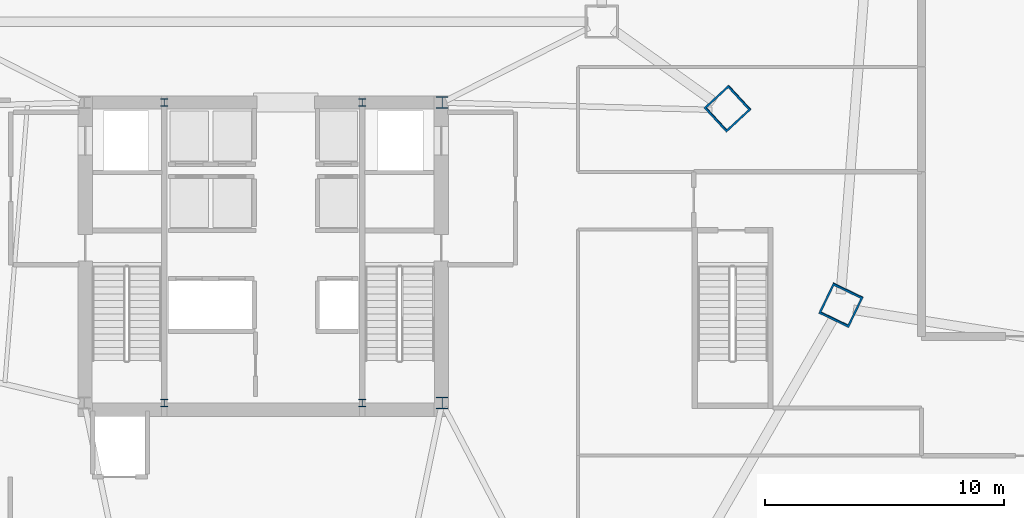
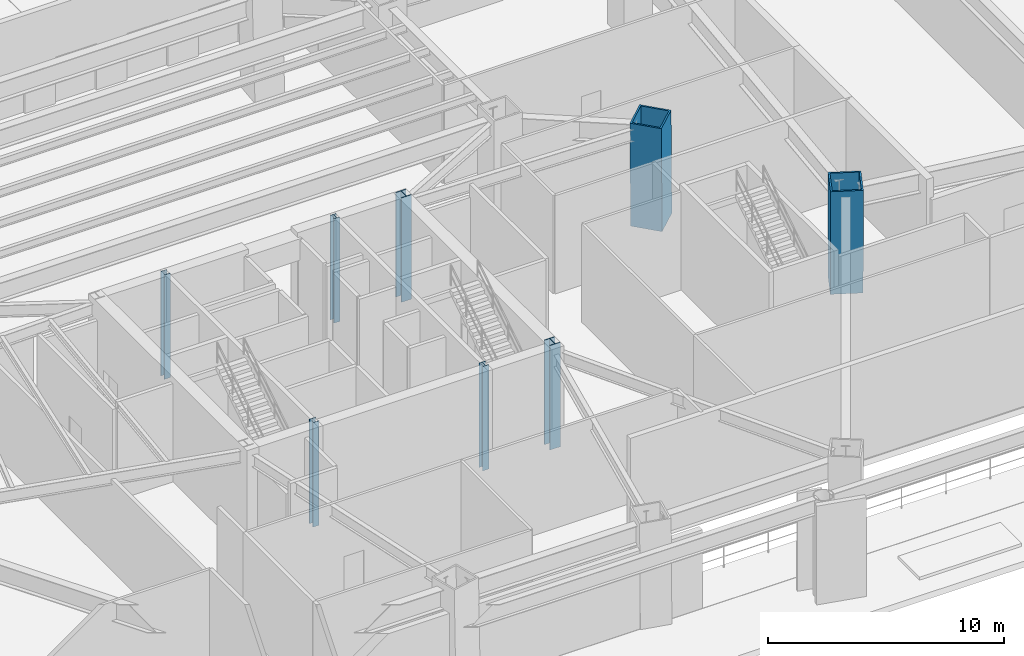
# One storey, part 2 of 19: 8 columns.
"""IFC4 building model written with IfcOpenShell, lengths in metres."""

from ifc_helpers import new_model, si_unit, direction, frame, origin, origin_2d, place, context, subcontext, project, spatial, hollow_rectangle, i_section, extrude, source, transform, mapped, material, material_profile, profile_set, type_object, type_shapes, element, save


model = new_model("IFC4")

# Units and contexts
model_context = context("Model", 3, precision=1e-05, world=origin(), true_north=direction((0.0, 1.0)))
body_context = subcontext(model_context, "Body", "Model", "MODEL_VIEW")
ifc_project = project(units=[si_unit("LENGTHUNIT", "METRE"), si_unit("AREAUNIT", "SQUARE_METRE"), si_unit("VOLUMEUNIT", "CUBIC_METRE"), si_unit("PLANEANGLEUNIT", "RADIAN"), si_unit("MASSUNIT", "GRAM", prefix="KILO")], contexts=[model_context])

# Site, building, storey
site_placement = place(None, origin())
site = spatial("IfcSite", under=ifc_project, at=site_placement, CompositionType="ELEMENT")
building_placement = place(site_placement, origin())
building = spatial("IfcBuilding", under=site, at=building_placement, Name="Caelisora Broadcast Tower", CompositionType="ELEMENT")
storey_placement = place(building_placement, origin())
storey = spatial("IfcBuildingStorey", under=building, at=storey_placement, Name="L00", CompositionType="ELEMENT", Elevation=0.0)

# Columns
ifc_material_1 = material(Name="Steel Grade 350 (AS/NZS 3679.2)", Category="steel")
ifc_material_profile_1 = material_profile(ifc_material_1, i_section(OverallWidth=0.5, OverallDepth=0.5, WebThickness=0.028076171875, FlangeThickness=0.0400390625, at=origin_2d()), Name="Steel Grade 350 (AS/NZS 3679.2)")
ifc_profile_set_1 = profile_set([ifc_material_profile_1], Name="Steel Grade 350 (AS/NZS 3679.2)")
column_type_1 = type_object("IfcColumnType", Name="CC01", PredefinedType="COLUMN", material=ifc_profile_set_1)
shared_shape_1 = source(origin(), body_context, "Body", "SweptSolid", [
    extrude(i_section(OverallWidth=0.5, OverallDepth=0.5, WebThickness=0.028076171875, FlangeThickness=0.0400390625, at=origin_2d()), origin(), (0.0, 0.0, 1.0), 5.39990234375),
])
type_shapes(column_type_1, [shared_shape_1])
for number, where, z_axis, x_axis, name in (
    (1, (45.5, 17.39990234375, 0.0), (0.0, 0.0, 1.0), (1.0, 0.0, 0.0), "L00 column CC01"),
    (2, (45.5, 30.0, 0.0), (0.0, 0.0, 1.0), (1.0, 0.0, 0.0), "L00 column CC01"),
):
    element("IfcColumn", number, at=place(storey_placement, frame(where, z_axis=z_axis, x_axis=x_axis)), inside=storey, type_object=column_type_1, Name=name, PredefinedType="COLUMN", context=body_context, shape_type="MappedRepresentation", body=[
        mapped(shared_shape_1, transform((0.0, 0.0, 0.0), scale=1.0)),
    ])
ifc_material_2 = material(Name="Steel Grade 350 (AS/NZS 3679.1)", Category="steel")
ifc_material_profile_2 = material_profile(ifc_material_2, i_section(OverallWidth=0.306884765625, OverallDepth=0.314697265625, WebThickness=0.011962890625, FlangeThickness=0.018798828125, at=origin_2d()), Name="Steel Grade 350 (AS/NZS 3679.1)")
ifc_profile_set_2 = profile_set([ifc_material_profile_2], Name="Steel Grade 350 (AS/NZS 3679.1)")
column_type_2 = type_object("IfcColumnType", Name="CC04", PredefinedType="COLUMN", material=ifc_profile_set_2)
shared_shape_2 = source(origin(), body_context, "Body", "SweptSolid", [
    extrude(i_section(OverallWidth=0.306884765625, OverallDepth=0.314697265625, WebThickness=0.011962890625, FlangeThickness=0.018798828125, at=origin_2d()), origin(), (0.0, 0.0, 1.0), 5.39990234375),
])
type_shapes(column_type_2, [shared_shape_2])
for number, where, z_axis, x_axis, name in (
    (3, (33.85009765625, 17.39990234375, 0.0), (0.0, 0.0, 1.0), (1.0, 0.0, 0.0), "L00 column CC04"),
    (4, (42.14990234375, 17.39990234375, 0.0), (0.0, 0.0, 1.0), (1.0, 0.0, 0.0), "L00 column CC04"),
    (5, (33.85009765625, 30.0, 0.0), (0.0, 0.0, 1.0), (1.0, 0.0, 0.0), "L00 column CC04"),
    (6, (42.14990234375, 30.0, 0.0), (0.0, 0.0, 1.0), (1.0, 0.0, 0.0), "L00 column CC04"),
):
    element("IfcColumn", number, at=place(storey_placement, frame(where, z_axis=z_axis, x_axis=x_axis)), inside=storey, type_object=column_type_2, Name=name, PredefinedType="COLUMN", context=body_context, shape_type="MappedRepresentation", body=[
        mapped(shared_shape_2, transform((0.0, 0.0, 0.0), scale=1.0)),
    ])
ifc_material_3 = material(Name="Steel Grade 350 L15 (AS/NZS 3678)", Category="steel")
ifc_material_profile_3 = material_profile(ifc_material_3, hollow_rectangle(XDim=1.39990234375, YDim=1.39990234375, WallThickness=0.080078125, at=origin_2d()), Name="Steel Grade 350 L15 (AS/NZS 3678)")
ifc_profile_set_3 = profile_set([ifc_material_profile_3], Name="Steel Grade 350 L15 (AS/NZS 3678)")
column_type_3 = type_object("IfcColumnType", Name="MC01", PredefinedType="COLUMN", material=ifc_profile_set_3)
shared_shape_3 = source(origin(), body_context, "Body", "SweptSolid", [
    extrude(hollow_rectangle(XDim=1.39990234375, YDim=1.39990234375, WallThickness=0.080078125, at=origin_2d()), origin(), (0.0, 0.0, 1.0), 5.4013671875),
])
column_1_placement = place(storey_placement, frame((62.2314453125, 21.523193359375, 0.0), z_axis=(-0.010395791054, -0.021559966664, 0.999713506644), x_axis=(0.900755489191, -0.434326546151, 0.0)))
element("IfcColumn", 7, at=column_1_placement, inside=storey, type_object=column_type_3, Name="L00 column MC01", PredefinedType="COLUMN", context=body_context, shape_type="MappedRepresentation", body=[
    mapped(shared_shape_3, transform((0.0, 0.0, 0.0), scale=1.0)),
])
shared_shape_4 = source(origin(), body_context, "Body", "SweptSolid", [
    extrude(hollow_rectangle(XDim=1.39990234375, YDim=1.39990234375, WallThickness=0.080078125, at=origin_2d()), origin(), (0.0, 0.0, 1.0), 5.401123046875),
])
type_shapes(column_type_3, [shared_shape_3, shared_shape_4])
column_2_placement = place(storey_placement, frame((57.477783203125, 29.756591796875, 0.0), z_axis=(-0.014916896444, -0.013786828532, 0.999793683497), x_axis=(0.678742109025, -0.734376708125, 0.0)))
element("IfcColumn", 8, at=column_2_placement, inside=storey, type_object=column_type_3, Name="L00 column MC01", PredefinedType="COLUMN", context=body_context, shape_type="MappedRepresentation", body=[
    mapped(shared_shape_4, transform((0.0, 0.0, 0.0), scale=1.0)),
])

save(model, "model.ifc")
